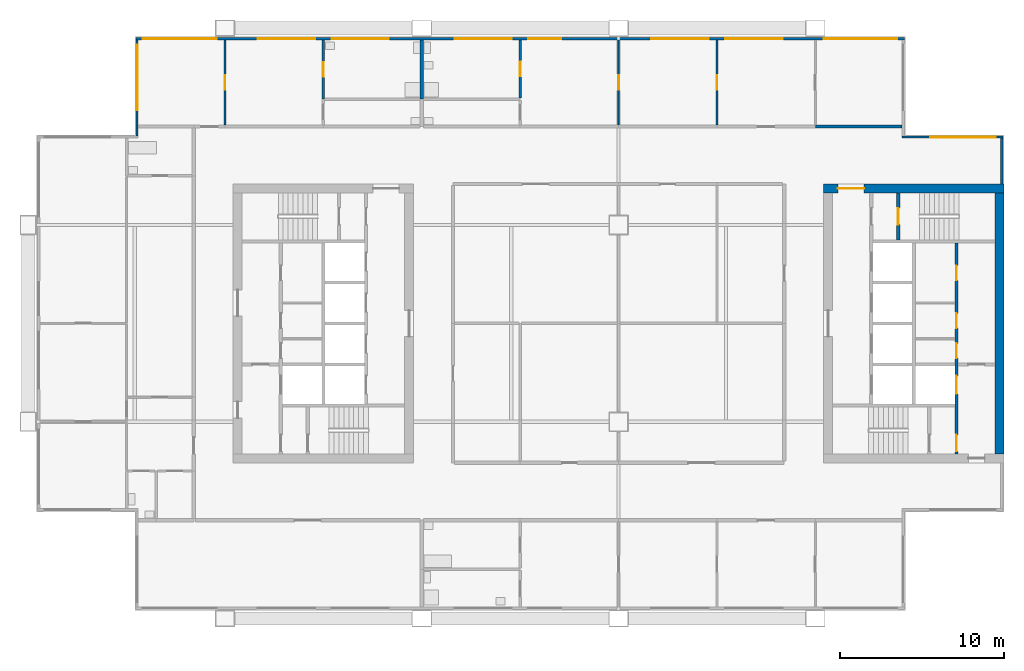
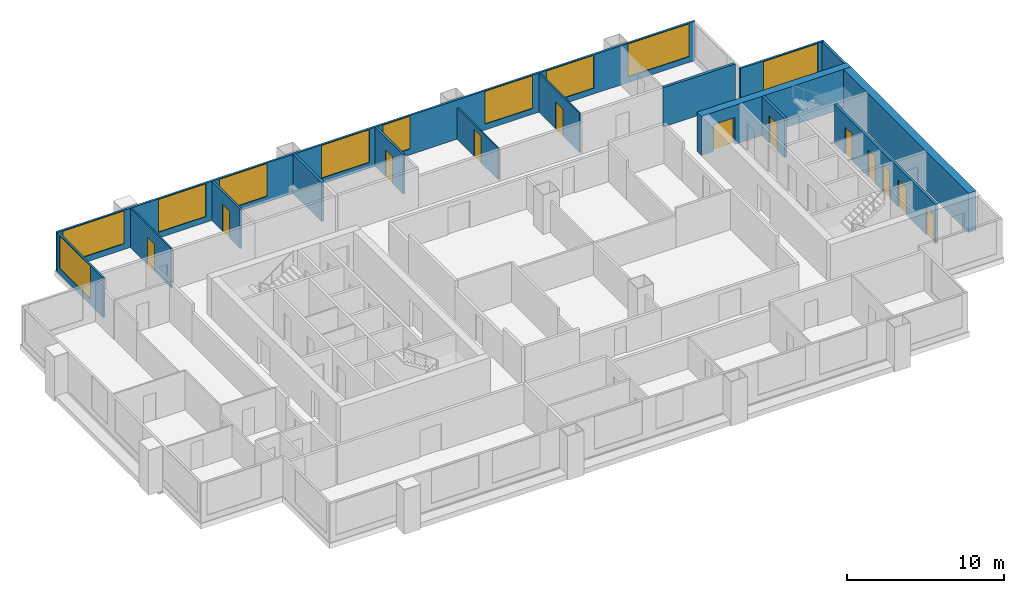
# One storey, part 6 of 9: 15 walls, 12 doors, 10 windows, 22 openings.
"""IFC4 building model written with IfcOpenShell, lengths in metres."""

from ifc_helpers import new_model, si_unit, direction, frame, frame_2d, origin, place, context, subcontext, project, spatial, rectangle, extrude, material, layer, layer_set, type_object, element, fill, save


model = new_model("IFC4")

# Units and contexts
model_context = context("Model", 3, precision=1e-05, world=origin(), true_north=direction((0.0, 1.0)))
body_context = subcontext(model_context, "Body", "Model", "MODEL_VIEW")
ifc_project = project(units=[si_unit("LENGTHUNIT", "METRE"), si_unit("AREAUNIT", "SQUARE_METRE"), si_unit("VOLUMEUNIT", "CUBIC_METRE"), si_unit("PLANEANGLEUNIT", "RADIAN"), si_unit("MASSUNIT", "GRAM", prefix="KILO")], contexts=[model_context])

# Site, building, storey
site_placement = place(None, origin())
site = spatial("IfcSite", under=ifc_project, at=site_placement, CompositionType="ELEMENT")
building_placement = place(site_placement, origin())
building = spatial("IfcBuilding", under=site, at=building_placement, Name="Kitamizu Gate Tower and Museum", CompositionType="ELEMENT")
storey_placement = place(building_placement, frame((0.0, 0.0, 210.0)))
storey = spatial("IfcBuildingStorey", under=building, at=storey_placement, Name="L56", CompositionType="ELEMENT", Elevation=210.0)

# Wall, opening, door
ifc_material_1 = material(Name="Concrete Fc42", Category="concrete")
ifc_layer_1 = layer(ifc_material_1, 0.550048828125)
ifc_layer_set_1 = layer_set([ifc_layer_1], Name="Concrete Fc42")
wall_type_1 = type_object("IfcWallType", Name="Core wall 550", PredefinedType="SHEAR", material=ifc_layer_set_1)
wall_1_placement = place(storey_placement, frame((59.5, 38.22509765625, 0.0), z_axis=(0.0, 0.0, 1.0), x_axis=(-1.0, 0.0, 0.0)))
wall_1 = element("IfcWall", 1, at=wall_1_placement, inside=storey, type_object=wall_type_1, Name="Core wall EN", PredefinedType="SHEAR", context=body_context, shape_type="SweptSolid", body=[
    extrude(rectangle(XDim=11.0, YDim=0.550048828125, at=frame_2d((5.5, 0.0))), origin(), (0.0, 0.0, 1.0), 3.050048828125),
])
opening_1_placement = place(wall_1_placement, frame((8.52490234375, 0.0, 0.0)))
opening_1 = element("IfcOpeningElement", 2, at=opening_1_placement, cuts=wall_1, Name="Opening L56-050", PredefinedType="OPENING", context=body_context, shape_type="SweptSolid", body=[
    extrude(rectangle(XDim=1.60009765625, YDim=2.10009765625, at=frame_2d((0.800048828125, 1.050048828125))), frame((0.0, 0.28515625, 0.0), z_axis=(0.0, -1.0, 0.0), x_axis=(1.0, 0.0, 0.0)), (0.0, 0.0, 1.0), 0.570068359375),
])
ifc_material_2 = material(Name="Timber door set", Category="wood")
door_type_1 = type_object("IfcDoorType", Name="Entrance door 1600", OperationType="DOUBLE_DOOR_SINGLE_SWING", PredefinedType="DOOR", material=ifc_material_2)
door_1_placement = place(opening_1_placement, origin())
door_1 = element("IfcDoor", 3, at=door_1_placement, inside=storey, type_object=door_type_1, Name="Lobby door L56-050", OperationType="DOUBLE_DOOR_SINGLE_SWING", OverallHeight=2.10009765625, OverallWidth=1.60009765625, PredefinedType="DOOR", context=body_context, shape_type="SweptSolid", body=[
    extrude(rectangle(XDim=1.60009765625, YDim=2.10009765625, at=frame_2d((0.800048828125, 1.050048828125))), frame((0.0, 0.02490234375, 0.0), z_axis=(0.0, -1.0, 0.0), x_axis=(1.0, 0.0, 0.0)), (0.0, 0.0, 1.0), 0.050048828125),
])
fill(opening_1, door_1)

# Wall
wall_2_placement = place(storey_placement, frame((59.22509765625, 22.050048828125, 0.0), z_axis=(0.0, 0.0, 1.0), x_axis=(0.0, 1.0, 0.0)))
element("IfcWall", 4, at=wall_2_placement, inside=storey, type_object=wall_type_1, Name="Core wall EOUT", PredefinedType="SHEAR", context=body_context, shape_type="SweptSolid", body=[
    extrude(rectangle(XDim=15.89990234375, YDim=0.550048828125, at=frame_2d((7.949951171875, 0.0))), origin(), (0.0, 0.0, 1.0), 3.050048828125),
])

# Wall, opening, door
ifc_material_3 = material(Name="Gypsum board on galvanised stud")
ifc_layer_2 = layer(ifc_material_3, 0.10009765625)
ifc_layer_set_2 = layer_set([ifc_layer_2], Name="Gypsum board on galvanised stud")
wall_type_2 = type_object("IfcWallType", Name="Partition 100 NOT RATED", PredefinedType="PARTITIONING", material=ifc_layer_set_2)
wall_3_placement = place(storey_placement, frame((12.0, 42.10009765625, 0.0), z_axis=(0.0, 0.0, 1.0), x_axis=(0.0, 1.0, 0.0)))
wall_3 = element("IfcWall", 5, at=wall_3_placement, inside=storey, type_object=wall_type_2, Name="Partition L56-014", PredefinedType="PARTITIONING", context=body_context, shape_type="SweptSolid", body=[
    extrude(rectangle(XDim=5.179931640625, YDim=0.10009765625, at=frame_2d((2.58984375, 0.0))), origin(), (0.0, 0.0, 1.0), 3.050048828125),
])
opening_2_placement = place(wall_3_placement, frame((2.139892578125, 0.0, 0.0)))
opening_2 = element("IfcOpeningElement", 6, at=opening_2_placement, cuts=wall_3, Name="Opening L56-008", PredefinedType="OPENING", context=body_context, shape_type="SweptSolid", body=[
    extrude(rectangle(XDim=0.89990234375, YDim=2.10009765625, at=frame_2d((0.449951171875, 1.050048828125))), frame((0.0, 0.06005859375, 0.0), z_axis=(0.0, -1.0, 0.0), x_axis=(1.0, 0.0, 0.0)), (0.0, 0.0, 1.0), 0.1201171875),
])
ifc_material_4 = material(Name="Timber door set", Category="wood")
door_type_2 = type_object("IfcDoorType", Name="Room door 900", OperationType="NOTDEFINED", PredefinedType="DOOR", material=ifc_material_4)
door_2_placement = place(opening_2_placement, frame((0.89990234375, 0.0, 0.0), x_axis=(-1.0, 0.0, 0.0)))
door_2 = element("IfcDoor", 7, at=door_2_placement, inside=storey, type_object=door_type_2, Name="Door L56-008", OperationType="SINGLE_SWING_LEFT", OverallHeight=2.10009765625, OverallWidth=0.89990234375, PredefinedType="DOOR", context=body_context, shape_type="SweptSolid", body=[
    extrude(rectangle(XDim=0.89990234375, YDim=2.10009765625, at=frame_2d((0.449951171875, 1.050048828125))), frame((0.0, 0.02490234375, 0.0), z_axis=(0.0, -1.0, 0.0), x_axis=(1.0, 0.0, 0.0)), (0.0, 0.0, 1.0), 0.050048828125),
])
fill(opening_2, door_2)

wall_4_placement = place(storey_placement, frame((36.0, 42.10009765625, 0.0), z_axis=(0.0, 0.0, 1.0), x_axis=(0.0, 1.0, 0.0)))
wall_4 = element("IfcWall", 8, at=wall_4_placement, inside=storey, type_object=wall_type_2, Name="Partition L56-028", PredefinedType="PARTITIONING", context=body_context, shape_type="SweptSolid", body=[
    extrude(rectangle(XDim=5.179931640625, YDim=0.10009765625, at=frame_2d((2.58984375, 0.0))), origin(), (0.0, 0.0, 1.0), 2.449951171875),
])
opening_3_placement = place(wall_4_placement, frame((2.139892578125, 0.0, 0.0)))
opening_3 = element("IfcOpeningElement", 9, at=opening_3_placement, cuts=wall_4, Name="Opening L56-013", PredefinedType="OPENING", context=body_context, shape_type="SweptSolid", body=[
    extrude(rectangle(XDim=0.89990234375, YDim=2.10009765625, at=frame_2d((0.449951171875, 1.050048828125))), frame((0.0, 0.06005859375, 0.0), z_axis=(0.0, -1.0, 0.0), x_axis=(1.0, 0.0, 0.0)), (0.0, 0.0, 1.0), 0.1201171875),
])
door_3_placement = place(opening_3_placement, origin())
door_3 = element("IfcDoor", 10, at=door_3_placement, inside=storey, type_object=door_type_2, Name="Door L56-013", OperationType="SINGLE_SWING_LEFT", OverallHeight=2.10009765625, OverallWidth=0.89990234375, PredefinedType="DOOR", context=body_context, shape_type="SweptSolid", body=[
    extrude(rectangle(XDim=0.89990234375, YDim=2.10009765625, at=frame_2d((0.449951171875, 1.050048828125))), frame((0.0, 0.02490234375, 0.0), z_axis=(0.0, -1.0, 0.0), x_axis=(1.0, 0.0, 0.0)), (0.0, 0.0, 1.0), 0.050048828125),
])
fill(opening_3, door_3)

wall_5_placement = place(storey_placement, frame((42.0, 42.10009765625, 0.0), z_axis=(0.0, 0.0, 1.0), x_axis=(0.0, 1.0, 0.0)))
wall_5 = element("IfcWall", 11, at=wall_5_placement, inside=storey, type_object=wall_type_2, Name="Partition L56-030", PredefinedType="PARTITIONING", context=body_context, shape_type="SweptSolid", body=[
    extrude(rectangle(XDim=5.179931640625, YDim=0.10009765625, at=frame_2d((2.58984375, 0.0))), origin(), (0.0, 0.0, 1.0), 3.050048828125),
])
opening_4_placement = place(wall_5_placement, frame((2.139892578125, 0.0, 0.0)))
opening_4 = element("IfcOpeningElement", 12, at=opening_4_placement, cuts=wall_5, Name="Opening L56-012", PredefinedType="OPENING", context=body_context, shape_type="SweptSolid", body=[
    extrude(rectangle(XDim=0.89990234375, YDim=2.10009765625, at=frame_2d((0.449951171875, 1.050048828125))), frame((0.0, 0.06005859375, 0.0), z_axis=(0.0, -1.0, 0.0), x_axis=(1.0, 0.0, 0.0)), (0.0, 0.0, 1.0), 0.1201171875),
])
door_4_placement = place(opening_4_placement, origin())
door_4 = element("IfcDoor", 13, at=door_4_placement, inside=storey, type_object=door_type_2, Name="Door L56-012", OperationType="SINGLE_SWING_RIGHT", OverallHeight=2.10009765625, OverallWidth=0.89990234375, PredefinedType="DOOR", context=body_context, shape_type="SweptSolid", body=[
    extrude(rectangle(XDim=0.89990234375, YDim=2.10009765625, at=frame_2d((0.449951171875, 1.050048828125))), frame((0.0, 0.02490234375, 0.0), z_axis=(0.0, -1.0, 0.0), x_axis=(1.0, 0.0, 0.0)), (0.0, 0.0, 1.0), 0.050048828125),
])
fill(opening_4, door_4)

ifc_material_5 = material(Name="Gypsum board on galvanised stud")
ifc_layer_3 = layer(ifc_material_5, 0.14990234375)
ifc_layer_set_3 = layer_set([ifc_layer_3], Name="Gypsum board on galvanised stud")
wall_type_3 = type_object("IfcWallType", Name="Partition 150", PredefinedType="PARTITIONING", material=ifc_layer_set_3)
wall_6_placement = place(storey_placement, frame((18.0, 43.679931640625, 0.0), z_axis=(0.0, 0.0, 1.0), x_axis=(0.0, 1.0, 0.0)))
wall_6 = element("IfcWall", 14, at=wall_6_placement, inside=storey, type_object=wall_type_3, Name="Partition L56-017", PredefinedType="PARTITIONING", context=body_context, shape_type="SweptSolid", body=[
    extrude(rectangle(XDim=3.60009765625, YDim=0.14990234375, at=frame_2d((1.800048828125, 0.0))), origin(), (0.0, 0.0, 1.0), 3.050048828125),
])
opening_5_placement = place(wall_6_placement, frame((1.35009765625, 0.0, 0.0)))
opening_5 = element("IfcOpeningElement", 15, at=opening_5_placement, cuts=wall_6, Name="Opening L56-009", PredefinedType="OPENING", context=body_context, shape_type="SweptSolid", body=[
    extrude(rectangle(XDim=0.89990234375, YDim=2.10009765625, at=frame_2d((0.449951171875, 1.050048828125))), frame((0.0, 0.0849609375, 0.0), z_axis=(0.0, -1.0, 0.0), x_axis=(1.0, 0.0, 0.0)), (0.0, 0.0, 1.0), 0.169921875),
])
ifc_material_6 = material(Name="Timber door set", Category="wood")
door_type_3 = type_object("IfcDoorType", Name="Bathroom door 900", OperationType="NOTDEFINED", PredefinedType="DOOR", material=ifc_material_6)
door_5_placement = place(opening_5_placement, frame((0.89990234375, 0.0, 0.0), x_axis=(-1.0, 0.0, 0.0)))
door_5 = element("IfcDoor", 16, at=door_5_placement, inside=storey, type_object=door_type_3, Name="Bathroom door L56-009", OperationType="SINGLE_SWING_RIGHT", OverallHeight=2.10009765625, OverallWidth=0.89990234375, PredefinedType="DOOR", context=body_context, shape_type="SweptSolid", body=[
    extrude(rectangle(XDim=0.89990234375, YDim=2.10009765625, at=frame_2d((0.449951171875, 1.050048828125))), frame((0.0, 0.02490234375, 0.0), z_axis=(0.0, -1.0, 0.0), x_axis=(1.0, 0.0, 0.0)), (0.0, 0.0, 1.0), 0.050048828125),
])
fill(opening_5, door_5)

wall_7_placement = place(storey_placement, frame((30.0, 43.7548828125, 0.0), z_axis=(0.0, 0.0, 1.0), x_axis=(0.0, 1.0, 0.0)))
wall_7 = element("IfcWall", 17, at=wall_7_placement, inside=storey, type_object=wall_type_3, Name="Partition L56-025", PredefinedType="PARTITIONING", context=body_context, shape_type="SweptSolid", body=[
    extrude(rectangle(XDim=3.525146484375, YDim=0.14990234375, at=frame_2d((1.7626953125, 0.0))), origin(), (0.0, 0.0, 1.0), 3.050048828125),
])
opening_6_placement = place(wall_7_placement, frame((1.3125, 0.0, 0.0)))
opening_6 = element("IfcOpeningElement", 18, at=opening_6_placement, cuts=wall_7, Name="Opening L56-014", PredefinedType="OPENING", context=body_context, shape_type="SweptSolid", body=[
    extrude(rectangle(XDim=0.89990234375, YDim=2.10009765625, at=frame_2d((0.449951171875, 1.050048828125))), frame((0.0, 0.0849609375, 0.0), z_axis=(0.0, -1.0, 0.0), x_axis=(1.0, 0.0, 0.0)), (0.0, 0.0, 1.0), 0.169921875),
])
door_6_placement = place(opening_6_placement, origin())
door_6 = element("IfcDoor", 19, at=door_6_placement, inside=storey, type_object=door_type_3, Name="Bathroom door L56-014", OperationType="SINGLE_SWING_RIGHT", OverallHeight=2.10009765625, OverallWidth=0.89990234375, PredefinedType="DOOR", context=body_context, shape_type="SweptSolid", body=[
    extrude(rectangle(XDim=0.89990234375, YDim=2.10009765625, at=frame_2d((0.449951171875, 1.050048828125))), frame((0.0, 0.02490234375, 0.0), z_axis=(0.0, -1.0, 0.0), x_axis=(1.0, 0.0, 0.0)), (0.0, 0.0, 1.0), 0.050048828125),
])
fill(opening_6, door_6)

# Walls
ifc_material_7 = material(Name="Gypsum board on galvanised stud")
ifc_layer_4 = layer(ifc_material_7, 0.199951171875)
ifc_layer_set_4 = layer_set([ifc_layer_4], Name="Gypsum board on galvanised stud")
wall_type_4 = type_object("IfcWallType", Name="Partition 200", PredefinedType="PARTITIONING", material=ifc_layer_set_4)
wall_8_placement = place(storey_placement, frame((24.0, 43.679931640625, 0.0), z_axis=(0.0, 0.0, 1.0), x_axis=(0.0, 1.0, 0.0)))
element("IfcWall", 20, at=wall_8_placement, inside=storey, type_object=wall_type_4, Name="Partition L56-021", PredefinedType="PARTITIONING", context=body_context, shape_type="SweptSolid", body=[
    extrude(rectangle(XDim=3.60009765625, YDim=0.199951171875, at=frame_2d((1.800048828125, 0.0))), origin(), (0.0, 0.0, 1.0), 3.050048828125),
])
wall_9_placement = place(storey_placement, frame((48.0, 42.0, 0.0), z_axis=(0.0, 0.0, 1.0), x_axis=(1.0, 0.0, 0.0)))
element("IfcWall", 21, at=wall_9_placement, inside=storey, type_object=wall_type_4, Name="Partition L56-034", PredefinedType="PARTITIONING", context=body_context, shape_type="SweptSolid", body=[
    extrude(rectangle(XDim=5.280029296875, YDim=0.199951171875, at=frame_2d((2.64013671875, 0.0))), origin(), (0.0, 0.0, 1.0), 3.050048828125),
])

# Wall, openings, doors
ifc_material_8 = material(Name="Concrete Fc42", Category="concrete")
ifc_layer_5 = layer(ifc_material_8, 0.199951171875)
ifc_layer_set_5 = layer_set([ifc_layer_5], Name="Concrete Fc42")
wall_type_5 = type_object("IfcWallType", Name="Shaft wall 200", PredefinedType="SOLIDWALL", material=ifc_layer_set_5)
wall_10_placement = place(storey_placement, frame((56.60009765625, 22.050048828125, 0.0), z_axis=(0.0, 0.0, 1.0), x_axis=(0.0, 1.0, 0.0)))
wall_10 = element("IfcWall", 22, at=wall_10_placement, inside=storey, type_object=wall_type_5, Name="Shaft wall EWEST", PredefinedType="SOLIDWALL", context=body_context, shape_type="SweptSolid", body=[
    extrude(rectangle(XDim=12.849853515625, YDim=0.199951171875, at=frame_2d((6.4248046875, 0.0))), origin(), (0.0, 0.0, 1.0), 3.050048828125),
])
opening_7_placement = place(wall_10_placement, frame((3.64990234375, 0.0, 0.0)))
opening_7 = element("IfcOpeningElement", 23, at=opening_7_placement, cuts=wall_10, Name="Opening LD", PredefinedType="OPENING", context=body_context, shape_type="SweptSolid", body=[
    extrude(rectangle(XDim=1.10009765625, YDim=2.10009765625, at=frame_2d((0.550048828125, 1.050048828125))), frame((0.0, 0.10986328125, 0.0), z_axis=(0.0, -1.0, 0.0), x_axis=(1.0, 0.0, 0.0)), (0.0, 0.0, 1.0), 0.219970703125),
])
opening_8_placement = place(wall_10_placement, frame((0.14990234375, 0.0, 0.0)))
opening_8 = element("IfcOpeningElement", 24, at=opening_8_placement, cuts=wall_10, Name="Opening L56-045", PredefinedType="OPENING", context=body_context, shape_type="SweptSolid", body=[
    extrude(rectangle(XDim=1.0, YDim=2.10009765625, at=frame_2d((0.5, 1.050048828125))), frame((0.0, 0.10986328125, 0.0), z_axis=(0.0, -1.0, 0.0), x_axis=(1.0, 0.0, 0.0)), (0.0, 0.0, 1.0), 0.219970703125),
])
opening_9_placement = place(wall_10_placement, frame((5.830078125, 0.0, 0.0)))
opening_9 = element("IfcOpeningElement", 25, at=opening_9_placement, cuts=wall_10, Name="Opening L56-052", PredefinedType="OPENING", context=body_context, shape_type="SweptSolid", body=[
    extrude(rectangle(XDim=0.89990234375, YDim=2.10009765625, at=frame_2d((0.449951171875, 1.050048828125))), frame((0.0, 0.10986328125, 0.0), z_axis=(0.0, -1.0, 0.0), x_axis=(1.0, 0.0, 0.0)), (0.0, 0.0, 1.0), 0.219970703125),
])
opening_10_placement = place(wall_10_placement, frame((7.655029296875, 0.0, 0.0)))
opening_10 = element("IfcOpeningElement", 26, at=opening_10_placement, cuts=wall_10, Name="Opening L56-053", PredefinedType="OPENING", context=body_context, shape_type="SweptSolid", body=[
    extrude(rectangle(XDim=0.89990234375, YDim=2.10009765625, at=frame_2d((0.449951171875, 1.050048828125))), frame((0.0, 0.10986328125, 0.0), z_axis=(0.0, -1.0, 0.0), x_axis=(1.0, 0.0, 0.0)), (0.0, 0.0, 1.0), 0.219970703125),
])
opening_11_placement = place(wall_10_placement, frame((10.574951171875, 0.0, 0.0)))
opening_11 = element("IfcOpeningElement", 27, at=opening_11_placement, cuts=wall_10, Name="Opening L56-054", PredefinedType="OPENING", context=body_context, shape_type="SweptSolid", body=[
    extrude(rectangle(XDim=0.89990234375, YDim=2.10009765625, at=frame_2d((0.449951171875, 1.050048828125))), frame((0.0, 0.10986328125, 0.0), z_axis=(0.0, -1.0, 0.0), x_axis=(1.0, 0.0, 0.0)), (0.0, 0.0, 1.0), 0.219970703125),
])
ifc_material_9 = material(Name="Hollow metal door set")
door_type_4 = type_object("IfcDoorType", Name="Fire door 1000", OperationType="NOTDEFINED", PredefinedType="DOOR", material=ifc_material_9)
door_7_placement = place(opening_8_placement, origin())
door_7 = element("IfcDoor", 28, at=door_7_placement, inside=storey, type_object=door_type_4, Name="Stair lobby door L56-045", OperationType="SINGLE_SWING_RIGHT", OverallHeight=2.10009765625, OverallWidth=1.0, PredefinedType="DOOR", context=body_context, shape_type="SweptSolid", body=[
    extrude(rectangle(XDim=1.0, YDim=2.10009765625, at=frame_2d((0.5, 1.050048828125))), frame((0.0, 0.02490234375, 0.0), z_axis=(0.0, -1.0, 0.0), x_axis=(1.0, 0.0, 0.0)), (0.0, 0.0, 1.0), 0.050048828125),
])
fill(opening_8, door_7)
ifc_material_10 = material(Name="Hollow metal door set")
door_type_5 = type_object("IfcDoorType", Name="Landing door 1100", OperationType="SLIDING_TO_LEFT", PredefinedType="DOOR", material=ifc_material_10)
door_8_placement = place(opening_7_placement, origin())
door_8 = element("IfcDoor", 29, at=door_8_placement, inside=storey, type_object=door_type_5, Name="Landing door EFF1", OperationType="SLIDING_TO_LEFT", OverallHeight=2.10009765625, OverallWidth=1.10009765625, PredefinedType="DOOR", context=body_context, shape_type="SweptSolid", body=[
    extrude(rectangle(XDim=1.10009765625, YDim=2.10009765625, at=frame_2d((0.550048828125, 1.050048828125))), frame((0.0, 0.02490234375, 0.0), z_axis=(0.0, -1.0, 0.0), x_axis=(1.0, 0.0, 0.0)), (0.0, 0.0, 1.0), 0.050048828125),
])
fill(opening_7, door_8)
ifc_material_11 = material(Name="Timber door set", Category="wood")
door_type_6 = type_object("IfcDoorType", Name="Service door 900", OperationType="NOTDEFINED", PredefinedType="DOOR", material=ifc_material_11)
door_9_placement = place(opening_9_placement, origin())
door_9 = element("IfcDoor", 30, at=door_9_placement, inside=storey, type_object=door_type_6, Name="Service door L56-052", OperationType="SINGLE_SWING_RIGHT", OverallHeight=2.10009765625, OverallWidth=0.89990234375, PredefinedType="DOOR", context=body_context, shape_type="SweptSolid", body=[
    extrude(rectangle(XDim=0.89990234375, YDim=2.10009765625, at=frame_2d((0.449951171875, 1.050048828125))), frame((0.0, 0.02490234375, 0.0), z_axis=(0.0, -1.0, 0.0), x_axis=(1.0, 0.0, 0.0)), (0.0, 0.0, 1.0), 0.050048828125),
])
fill(opening_9, door_9)
door_10_placement = place(opening_10_placement, origin())
door_10 = element("IfcDoor", 31, at=door_10_placement, inside=storey, type_object=door_type_6, Name="Service door L56-053", OperationType="SINGLE_SWING_LEFT", OverallHeight=2.10009765625, OverallWidth=0.89990234375, PredefinedType="DOOR", context=body_context, shape_type="SweptSolid", body=[
    extrude(rectangle(XDim=0.89990234375, YDim=2.10009765625, at=frame_2d((0.449951171875, 1.050048828125))), frame((0.0, 0.02490234375, 0.0), z_axis=(0.0, -1.0, 0.0), x_axis=(1.0, 0.0, 0.0)), (0.0, 0.0, 1.0), 0.050048828125),
])
fill(opening_10, door_10)
door_11_placement = place(opening_11_placement, origin())
door_11 = element("IfcDoor", 32, at=door_11_placement, inside=storey, type_object=door_type_6, Name="Service door L56-054", OperationType="SINGLE_SWING_RIGHT", OverallHeight=2.10009765625, OverallWidth=0.89990234375, PredefinedType="DOOR", context=body_context, shape_type="SweptSolid", body=[
    extrude(rectangle(XDim=0.89990234375, YDim=2.10009765625, at=frame_2d((0.449951171875, 1.050048828125))), frame((0.0, 0.02490234375, 0.0), z_axis=(0.0, -1.0, 0.0), x_axis=(1.0, 0.0, 0.0)), (0.0, 0.0, 1.0), 0.050048828125),
])
fill(opening_11, door_11)

# Wall, opening, door
wall_11_placement = place(storey_placement, frame((53.050048828125, 35.10009765625, 0.0), z_axis=(0.0, 0.0, 1.0), x_axis=(0.0, 1.0, 0.0)))
wall_11 = element("IfcWall", 33, at=wall_11_placement, inside=storey, type_object=wall_type_5, Name="Shaft wall ENZ", PredefinedType="SOLIDWALL", context=body_context, shape_type="SweptSolid", body=[
    extrude(rectangle(XDim=2.849853515625, YDim=0.199951171875, at=frame_2d((1.4248046875, 0.0))), origin(), (0.0, 0.0, 1.0), 3.050048828125),
])
opening_12_placement = place(wall_11_placement, frame((0.925048828125, 0.0, 0.0)))
opening_12 = element("IfcOpeningElement", 34, at=opening_12_placement, cuts=wall_11, Name="Opening L56-047", PredefinedType="OPENING", context=body_context, shape_type="SweptSolid", body=[
    extrude(rectangle(XDim=1.0, YDim=2.10009765625, at=frame_2d((0.5, 1.050048828125))), frame((0.0, 0.10986328125, 0.0), z_axis=(0.0, -1.0, 0.0), x_axis=(1.0, 0.0, 0.0)), (0.0, 0.0, 1.0), 0.219970703125),
])
door_12_placement = place(opening_12_placement, frame((1.0, 0.0, 0.0), x_axis=(-1.0, 0.0, 0.0)))
door_12 = element("IfcDoor", 35, at=door_12_placement, inside=storey, type_object=door_type_4, Name="Stair door L56-047", OperationType="SINGLE_SWING_RIGHT", OverallHeight=2.10009765625, OverallWidth=1.0, PredefinedType="DOOR", context=body_context, shape_type="SweptSolid", body=[
    extrude(rectangle(XDim=1.0, YDim=2.10009765625, at=frame_2d((0.5, 1.050048828125))), frame((0.0, 0.02490234375, 0.0), z_axis=(0.0, -1.0, 0.0), x_axis=(1.0, 0.0, 0.0)), (0.0, 0.0, 1.0), 0.050048828125),
])
fill(opening_12, door_12)

# Wall
ifc_material_12 = material(Name="Bronze anodised aluminium frame with insulated spandrel and tinted glass", Category="aluminium")
ifc_layer_6 = layer(ifc_material_12, 0.14990234375)
ifc_layer_set_6 = layer_set([ifc_layer_6], Name="Bronze anodised aluminium frame with insulated spandrel and tinted glass")
wall_type_6 = type_object("IfcWallType", Name="WINDOW WALL 150 BRONZE FRAME EI 30", PredefinedType="ELEMENTEDWALL", material=ifc_layer_set_6)
wall_12_placement = place(storey_placement, frame((59.364990234375, 38.5, 0.0), z_axis=(0.0, 0.0, 1.0), x_axis=(0.0, 1.0, 0.0)))
element("IfcWall", 36, at=wall_12_placement, inside=storey, type_object=wall_type_6, Name="Window wall east L56", PredefinedType="ELEMENTEDWALL", context=body_context, shape_type="SweptSolid", body=[
    extrude(rectangle(XDim=2.7900390625, YDim=0.14990234375, at=frame_2d((1.39501953125, 0.0))), origin(), (0.0, 0.0, 1.0), 3.050048828125),
])

# Wall, opening, window
wall_13_placement = place(storey_placement, frame((53.2900390625, 41.364990234375, 0.0), z_axis=(0.0, 0.0, 1.0), x_axis=(1.0, 0.0, 0.0)))
wall_13 = element("IfcWall", 37, at=wall_13_placement, inside=storey, type_object=wall_type_6, Name="Window wall north L56", PredefinedType="ELEMENTEDWALL", context=body_context, shape_type="SweptSolid", body=[
    extrude(rectangle(XDim=6.14990234375, YDim=0.14990234375, at=frame_2d((3.074951171875, 0.0))), origin(), (0.0, 0.0, 1.0), 3.050048828125),
])
opening_13_placement = place(wall_13_placement, frame((1.7099609375, 0.0, 0.449951171875)))
opening_13 = element("IfcOpeningElement", 38, at=opening_13_placement, cuts=wall_13, Name="Opening W16", PredefinedType="OPENING", context=body_context, shape_type="SweptSolid", body=[
    extrude(rectangle(XDim=4.0, YDim=2.550048828125, at=frame_2d((2.0, 1.27490234375))), frame((0.0, 0.0849609375, 0.0), z_axis=(0.0, -1.0, 0.0), x_axis=(1.0, 0.0, 0.0)), (0.0, 0.0, 1.0), 0.169921875),
])
ifc_material_13 = material(Name="Bronze anodised aluminium frame, tinted triple glazing", Category="aluminium")
window_type_1 = type_object("IfcWindowType", Name="WINDOW 4000 x 2550 SILL 450", PartitioningType="SINGLE_PANEL", PredefinedType="WINDOW", material=ifc_material_13)
window_1_placement = place(opening_13_placement, origin())
window_1 = element("IfcWindow", 39, at=window_1_placement, inside=storey, type_object=window_type_1, Name="Window W16 L56", OverallHeight=2.550048828125, OverallWidth=4.0, PartitioningType="SINGLE_PANEL", PredefinedType="WINDOW", context=body_context, shape_type="SweptSolid", body=[
    extrude(rectangle(XDim=4.0, YDim=2.550048828125, at=frame_2d((2.0, 1.27490234375))), frame((0.0, 0.030029296875, 0.0), z_axis=(0.0, -1.0, 0.0), x_axis=(1.0, 0.0, 0.0)), (0.0, 0.0, 1.0), 0.06005859375),
])
fill(opening_13, window_1)

# Wall, openings, windows
wall_14_placement = place(storey_placement, frame((6.56005859375, 47.364990234375, 0.0), z_axis=(0.0, 0.0, 1.0), x_axis=(1.0, 0.0, 0.0)))
wall_14 = element("IfcWall", 40, at=wall_14_placement, inside=storey, type_object=wall_type_6, Name="Window wall north L56", PredefinedType="ELEMENTEDWALL", context=body_context, shape_type="SweptSolid", body=[
    extrude(rectangle(XDim=46.8798828125, YDim=0.14990234375, at=frame_2d((23.43994140625, 0.0))), origin(), (0.0, 0.0, 1.0), 3.050048828125),
])
opening_14_placement = place(wall_14_placement, frame((0.43994140625, 0.0, 0.449951171875)))
opening_14 = element("IfcOpeningElement", 41, at=opening_14_placement, cuts=wall_14, Name="Opening W15", PredefinedType="OPENING", context=body_context, shape_type="SweptSolid", body=[
    extrude(rectangle(XDim=4.5, YDim=2.550048828125, at=frame_2d((2.25, 1.27490234375))), frame((0.0, 0.0849609375, 0.0), z_axis=(0.0, -1.0, 0.0), x_axis=(1.0, 0.0, 0.0)), (0.0, 0.0, 1.0), 0.169921875),
])
opening_15_placement = place(wall_14_placement, frame((7.43994140625, 0.0, 0.449951171875)))
opening_15 = element("IfcOpeningElement", 42, at=opening_15_placement, cuts=wall_14, Name="Opening W35", PredefinedType="OPENING", context=body_context, shape_type="SweptSolid", body=[
    extrude(rectangle(XDim=3.5, YDim=2.550048828125, at=frame_2d((1.75, 1.27490234375))), frame((0.0, 0.0849609375, 0.0), z_axis=(0.0, -1.0, 0.0), x_axis=(1.0, 0.0, 0.0)), (0.0, 0.0, 1.0), 0.169921875),
])
opening_16_placement = place(wall_14_placement, frame((11.93994140625, 0.0, 0.449951171875)))
opening_16 = element("IfcOpeningElement", 43, at=opening_16_placement, cuts=wall_14, Name="Opening W35", PredefinedType="OPENING", context=body_context, shape_type="SweptSolid", body=[
    extrude(rectangle(XDim=3.5, YDim=2.550048828125, at=frame_2d((1.75, 1.27490234375))), frame((0.0, 0.0849609375, 0.0), z_axis=(0.0, -1.0, 0.0), x_axis=(1.0, 0.0, 0.0)), (0.0, 0.0, 1.0), 0.169921875),
])
opening_17_placement = place(wall_14_placement, frame((19.43994140625, 0.0, 0.449951171875)))
opening_17 = element("IfcOpeningElement", 44, at=opening_17_placement, cuts=wall_14, Name="Opening W35", PredefinedType="OPENING", context=body_context, shape_type="SweptSolid", body=[
    extrude(rectangle(XDim=3.5, YDim=2.550048828125, at=frame_2d((1.75, 1.27490234375))), frame((0.0, 0.0849609375, 0.0), z_axis=(0.0, -1.0, 0.0), x_axis=(1.0, 0.0, 0.0)), (0.0, 0.0, 1.0), 0.169921875),
])
opening_18_placement = place(wall_14_placement, frame((23.93994140625, 0.0, 0.449951171875)))
opening_18 = element("IfcOpeningElement", 45, at=opening_18_placement, cuts=wall_14, Name="Opening W2", PredefinedType="OPENING", context=body_context, shape_type="SweptSolid", body=[
    extrude(rectangle(XDim=2.0, YDim=2.550048828125, at=frame_2d((1.0, 1.27490234375))), frame((0.0, 0.0849609375, 0.0), z_axis=(0.0, -1.0, 0.0), x_axis=(1.0, 0.0, 0.0)), (0.0, 0.0, 1.0), 0.169921875),
])
opening_19_placement = place(wall_14_placement, frame((31.43994140625, 0.0, 0.449951171875)))
opening_19 = element("IfcOpeningElement", 46, at=opening_19_placement, cuts=wall_14, Name="Opening W35", PredefinedType="OPENING", context=body_context, shape_type="SweptSolid", body=[
    extrude(rectangle(XDim=3.5, YDim=2.550048828125, at=frame_2d((1.75, 1.27490234375))), frame((0.0, 0.0849609375, 0.0), z_axis=(0.0, -1.0, 0.0), x_axis=(1.0, 0.0, 0.0)), (0.0, 0.0, 1.0), 0.169921875),
])
opening_20_placement = place(wall_14_placement, frame((35.93994140625, 0.0, 0.449951171875)))
opening_20 = element("IfcOpeningElement", 47, at=opening_20_placement, cuts=wall_14, Name="Opening W35", PredefinedType="OPENING", context=body_context, shape_type="SweptSolid", body=[
    extrude(rectangle(XDim=3.5, YDim=2.550048828125, at=frame_2d((1.75, 1.27490234375))), frame((0.0, 0.0849609375, 0.0), z_axis=(0.0, -1.0, 0.0), x_axis=(1.0, 0.0, 0.0)), (0.0, 0.0, 1.0), 0.169921875),
])
opening_21_placement = place(wall_14_placement, frame((41.93994140625, 0.0, 0.449951171875)))
opening_21 = element("IfcOpeningElement", 48, at=opening_21_placement, cuts=wall_14, Name="Opening W15", PredefinedType="OPENING", context=body_context, shape_type="SweptSolid", body=[
    extrude(rectangle(XDim=4.5, YDim=2.550048828125, at=frame_2d((2.25, 1.27490234375))), frame((0.0, 0.0849609375, 0.0), z_axis=(0.0, -1.0, 0.0), x_axis=(1.0, 0.0, 0.0)), (0.0, 0.0, 1.0), 0.169921875),
])
ifc_material_14 = material(Name="Bronze anodised aluminium frame, tinted triple glazing", Category="aluminium")
window_type_2 = type_object("IfcWindowType", Name="WINDOW 2000 x 2550 SILL 450", PartitioningType="SINGLE_PANEL", PredefinedType="WINDOW", material=ifc_material_14)
window_2_placement = place(opening_18_placement, origin())
window_2 = element("IfcWindow", 49, at=window_2_placement, inside=storey, type_object=window_type_2, Name="Window W2 L56", OverallHeight=2.550048828125, OverallWidth=2.0, PartitioningType="SINGLE_PANEL", PredefinedType="WINDOW", context=body_context, shape_type="SweptSolid", body=[
    extrude(rectangle(XDim=2.0, YDim=2.550048828125, at=frame_2d((1.0, 1.27490234375))), frame((0.0, 0.030029296875, 0.0), z_axis=(0.0, -1.0, 0.0), x_axis=(1.0, 0.0, 0.0)), (0.0, 0.0, 1.0), 0.06005859375),
])
fill(opening_18, window_2)
ifc_material_15 = material(Name="Bronze anodised aluminium frame, tinted triple glazing", Category="aluminium")
window_type_3 = type_object("IfcWindowType", Name="WINDOW 3500 x 2550 SILL 450", PartitioningType="SINGLE_PANEL", PredefinedType="WINDOW", material=ifc_material_15)
window_3_placement = place(opening_15_placement, origin())
window_3 = element("IfcWindow", 50, at=window_3_placement, inside=storey, type_object=window_type_3, Name="Window W35 L56", OverallHeight=2.550048828125, OverallWidth=3.5, PartitioningType="SINGLE_PANEL", PredefinedType="WINDOW", context=body_context, shape_type="SweptSolid", body=[
    extrude(rectangle(XDim=3.5, YDim=2.550048828125, at=frame_2d((1.75, 1.27490234375))), frame((0.0, 0.030029296875, 0.0), z_axis=(0.0, -1.0, 0.0), x_axis=(1.0, 0.0, 0.0)), (0.0, 0.0, 1.0), 0.06005859375),
])
fill(opening_15, window_3)
window_4_placement = place(opening_16_placement, origin())
window_4 = element("IfcWindow", 51, at=window_4_placement, inside=storey, type_object=window_type_3, Name="Window W35 L56", OverallHeight=2.550048828125, OverallWidth=3.5, PartitioningType="SINGLE_PANEL", PredefinedType="WINDOW", context=body_context, shape_type="SweptSolid", body=[
    extrude(rectangle(XDim=3.5, YDim=2.550048828125, at=frame_2d((1.75, 1.27490234375))), frame((0.0, 0.030029296875, 0.0), z_axis=(0.0, -1.0, 0.0), x_axis=(1.0, 0.0, 0.0)), (0.0, 0.0, 1.0), 0.06005859375),
])
fill(opening_16, window_4)
window_5_placement = place(opening_17_placement, origin())
window_5 = element("IfcWindow", 52, at=window_5_placement, inside=storey, type_object=window_type_3, Name="Window W35 L56", OverallHeight=2.550048828125, OverallWidth=3.5, PartitioningType="SINGLE_PANEL", PredefinedType="WINDOW", context=body_context, shape_type="SweptSolid", body=[
    extrude(rectangle(XDim=3.5, YDim=2.550048828125, at=frame_2d((1.75, 1.27490234375))), frame((0.0, 0.030029296875, 0.0), z_axis=(0.0, -1.0, 0.0), x_axis=(1.0, 0.0, 0.0)), (0.0, 0.0, 1.0), 0.06005859375),
])
fill(opening_17, window_5)
window_6_placement = place(opening_19_placement, origin())
window_6 = element("IfcWindow", 53, at=window_6_placement, inside=storey, type_object=window_type_3, Name="Window W35 L56", OverallHeight=2.550048828125, OverallWidth=3.5, PartitioningType="SINGLE_PANEL", PredefinedType="WINDOW", context=body_context, shape_type="SweptSolid", body=[
    extrude(rectangle(XDim=3.5, YDim=2.550048828125, at=frame_2d((1.75, 1.27490234375))), frame((0.0, 0.030029296875, 0.0), z_axis=(0.0, -1.0, 0.0), x_axis=(1.0, 0.0, 0.0)), (0.0, 0.0, 1.0), 0.06005859375),
])
fill(opening_19, window_6)
window_7_placement = place(opening_20_placement, origin())
window_7 = element("IfcWindow", 54, at=window_7_placement, inside=storey, type_object=window_type_3, Name="Window W35 L56", OverallHeight=2.550048828125, OverallWidth=3.5, PartitioningType="SINGLE_PANEL", PredefinedType="WINDOW", context=body_context, shape_type="SweptSolid", body=[
    extrude(rectangle(XDim=3.5, YDim=2.550048828125, at=frame_2d((1.75, 1.27490234375))), frame((0.0, 0.030029296875, 0.0), z_axis=(0.0, -1.0, 0.0), x_axis=(1.0, 0.0, 0.0)), (0.0, 0.0, 1.0), 0.06005859375),
])
fill(opening_20, window_7)
ifc_material_16 = material(Name="Bronze anodised aluminium frame, tinted triple glazing", Category="aluminium")
window_type_4 = type_object("IfcWindowType", Name="WINDOW 4500 x 2550 SILL 450", PartitioningType="SINGLE_PANEL", PredefinedType="WINDOW", material=ifc_material_16)
window_8_placement = place(opening_14_placement, origin())
window_8 = element("IfcWindow", 55, at=window_8_placement, inside=storey, type_object=window_type_4, Name="Window W15 L56", OverallHeight=2.550048828125, OverallWidth=4.5, PartitioningType="SINGLE_PANEL", PredefinedType="WINDOW", context=body_context, shape_type="SweptSolid", body=[
    extrude(rectangle(XDim=4.5, YDim=2.550048828125, at=frame_2d((2.25, 1.27490234375))), frame((0.0, 0.030029296875, 0.0), z_axis=(0.0, -1.0, 0.0), x_axis=(1.0, 0.0, 0.0)), (0.0, 0.0, 1.0), 0.06005859375),
])
fill(opening_14, window_8)
window_9_placement = place(opening_21_placement, origin())
window_9 = element("IfcWindow", 56, at=window_9_placement, inside=storey, type_object=window_type_4, Name="Window W15 L56", OverallHeight=2.550048828125, OverallWidth=4.5, PartitioningType="SINGLE_PANEL", PredefinedType="WINDOW", context=body_context, shape_type="SweptSolid", body=[
    extrude(rectangle(XDim=4.5, YDim=2.550048828125, at=frame_2d((2.25, 1.27490234375))), frame((0.0, 0.030029296875, 0.0), z_axis=(0.0, -1.0, 0.0), x_axis=(1.0, 0.0, 0.0)), (0.0, 0.0, 1.0), 0.06005859375),
])
fill(opening_21, window_9)

# Wall, opening, window
wall_15_placement = place(storey_placement, frame((6.635009765625, 41.43994140625, 0.0), z_axis=(0.0, 0.0, 1.0), x_axis=(0.0, 1.0, 0.0)))
wall_15 = element("IfcWall", 57, at=wall_15_placement, inside=storey, type_object=wall_type_6, Name="Window wall west L56", PredefinedType="ELEMENTEDWALL", context=body_context, shape_type="SweptSolid", body=[
    extrude(rectangle(XDim=5.85009765625, YDim=0.14990234375, at=frame_2d((2.925048828125, 0.0))), origin(), (0.0, 0.0, 1.0), 3.050048828125),
])
opening_22_placement = place(wall_15_placement, frame((1.56005859375, 0.0, 0.449951171875)))
opening_22 = element("IfcOpeningElement", 58, at=opening_22_placement, cuts=wall_15, Name="Opening W16", PredefinedType="OPENING", context=body_context, shape_type="SweptSolid", body=[
    extrude(rectangle(XDim=4.0, YDim=2.550048828125, at=frame_2d((2.0, 1.27490234375))), frame((0.0, 0.0849609375, 0.0), z_axis=(0.0, -1.0, 0.0), x_axis=(1.0, 0.0, 0.0)), (0.0, 0.0, 1.0), 0.169921875),
])
window_10_placement = place(opening_22_placement, origin())
window_10 = element("IfcWindow", 59, at=window_10_placement, inside=storey, type_object=window_type_1, Name="Window W16 L56", OverallHeight=2.550048828125, OverallWidth=4.0, PartitioningType="SINGLE_PANEL", PredefinedType="WINDOW", context=body_context, shape_type="SweptSolid", body=[
    extrude(rectangle(XDim=4.0, YDim=2.550048828125, at=frame_2d((2.0, 1.27490234375))), frame((0.0, 0.030029296875, 0.0), z_axis=(0.0, -1.0, 0.0), x_axis=(1.0, 0.0, 0.0)), (0.0, 0.0, 1.0), 0.06005859375),
])
fill(opening_22, window_10)

save(model, "model.ifc")
